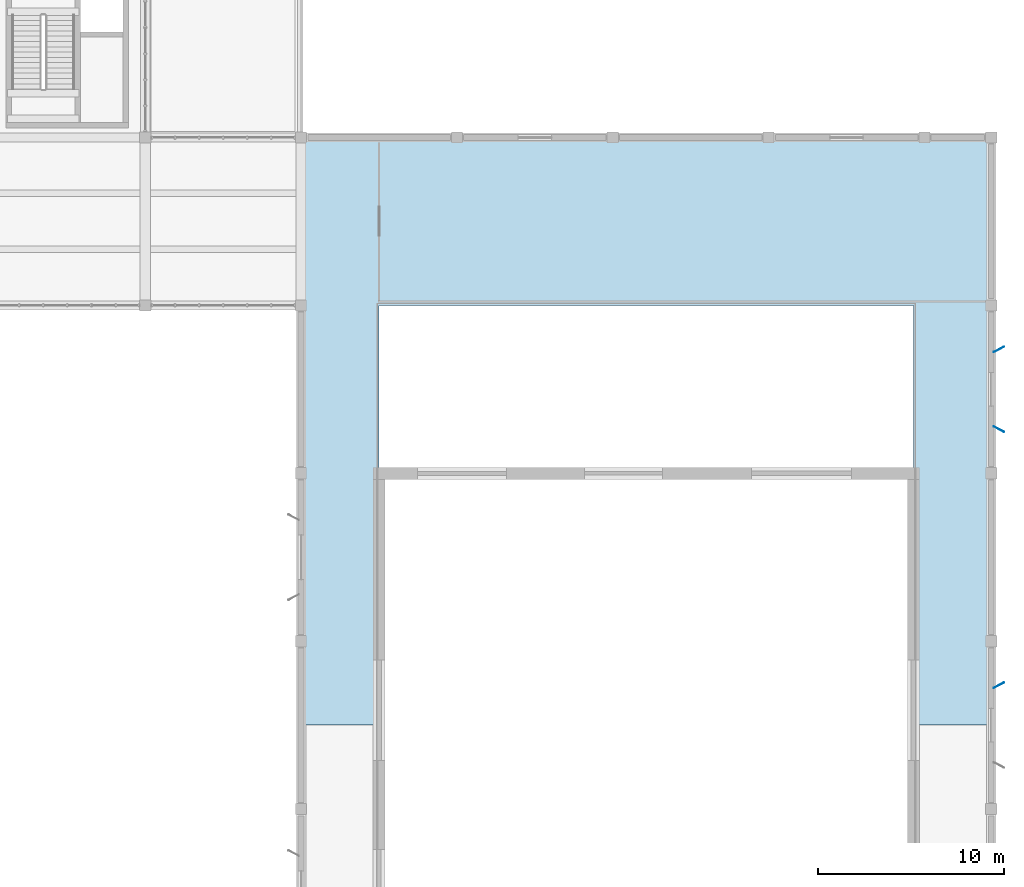
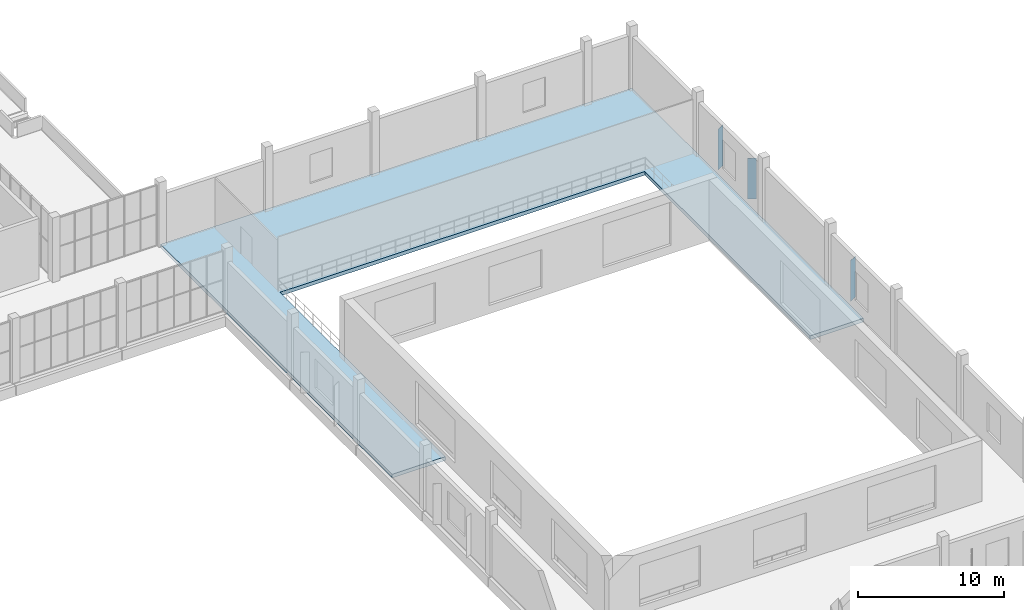
# One storey, part 110 of 132: 3 plates, 1 slab.
"""IFC4 building model written with IfcOpenShell, lengths in metres."""

from ifc_helpers import new_model, si_unit, direction, frame, origin, origin_2d, place, context, subcontext, project, spatial, polyline, rectangle, outline, extrude, material, layer, layer_set, type_object, element, save


model = new_model("IFC4")

# Units and contexts
model_context = context("Model", 3, precision=1e-05, world=origin(), true_north=direction((0.0, 1.0)))
body_context = subcontext(model_context, "Body", "Model", "MODEL_VIEW")
ifc_project = project(units=[si_unit("LENGTHUNIT", "METRE"), si_unit("AREAUNIT", "SQUARE_METRE"), si_unit("VOLUMEUNIT", "CUBIC_METRE"), si_unit("PLANEANGLEUNIT", "RADIAN"), si_unit("MASSUNIT", "GRAM", prefix="KILO")], contexts=[model_context])

# Site, building, storey
site_placement = place(None, origin())
site = spatial("IfcSite", under=ifc_project, at=site_placement, CompositionType="ELEMENT")
building_placement = place(site_placement, origin())
building = spatial("IfcBuilding", under=site, at=building_placement, Name="Khurvash Pelagic Aquarium", CompositionType="ELEMENT")
storey_placement = place(building_placement, frame((0.0, 0.0, 5.39990234375)))
storey = spatial("IfcBuildingStorey", under=building, at=storey_placement, Name="L01", CompositionType="ELEMENT", Elevation=5.39990234375)

# Slab
ifc_material_1 = material(Name="Concrete C40/50", Category="concrete")
ifc_layer_1 = layer(ifc_material_1, 0.31005859375)
ifc_layer_set_1 = layer_set([ifc_layer_1], Name="Concrete C40/50")
slab_type = type_object("IfcSlabType", Name="FS-310", PredefinedType="FLOOR", material=ifc_layer_set_1)
slab_placement = place(storey_placement, frame((0.0, 0.0, -0.309814453125)))
element("IfcSlab", 1, at=slab_placement, inside=storey, type_object=slab_type, Name="L01 Structural Floor Slab FS-310 V1_TANK.2", PredefinedType="FLOOR", context=body_context, shape_type="SweptSolid", body=[
    extrude(outline(polyline([(126.0, 84.050048828125), (126.0, 52.375), (130.199951171875, 52.375), (130.199951171875, 75.0), (159.0, 75.0), (159.0, 52.375), (163.199951171875, 52.375), (163.199951171875, 84.050048828125), (126.0, 84.050048828125)])), origin(), (0.0, 0.0, 1.0), 0.309814453125),
])

# Plates
ifc_material_2 = material(Name="Anodised aluminium AW-5005", Category="aluminium")
ifc_layer_2 = layer(ifc_material_2, 0.02392578125)
ifc_layer_set_2 = layer_set([ifc_layer_2], Name="Anodised aluminium AW-5005")
plate_type = type_object("IfcPlateType", Name="SP-01", PredefinedType="SHEET", material=ifc_layer_set_2)
for number, where, z_axis, x_axis, name in (
    (2, (163.60791015625, 54.52490234375, 0.150146484375), (0.0, 0.0, 1.0), (0.882947592859, 0.469471562786, 0.0), "L01 Parametric Folded Aluminium Solar Screen Fin SP-01 0128"),
    (3, (163.60791015625, 68.324951171875, 0.150146484375), (0.0, 0.0, 1.0), (0.882947592859, -0.469471562786, 0.0), "L01 Parametric Folded Aluminium Solar Screen Fin SP-01 0129"),
    (4, (163.60791015625, 72.625, 0.150146484375), (0.0, 0.0, 1.0), (0.882947592859, 0.469471562786, 0.0), "L01 Parametric Folded Aluminium Solar Screen Fin SP-01 0130"),
):
    element("IfcPlate", number, at=place(storey_placement, frame(where, z_axis=z_axis, x_axis=x_axis)), inside=storey, type_object=plate_type, Name=name, PredefinedType="SHEET", context=body_context, shape_type="SweptSolid", body=[
        extrude(rectangle(XDim=0.6201171875, YDim=0.02392578125, at=origin_2d()), origin(), (0.0, 0.0, 1.0), 3.39990234375),
    ])

save(model, "model.ifc")
